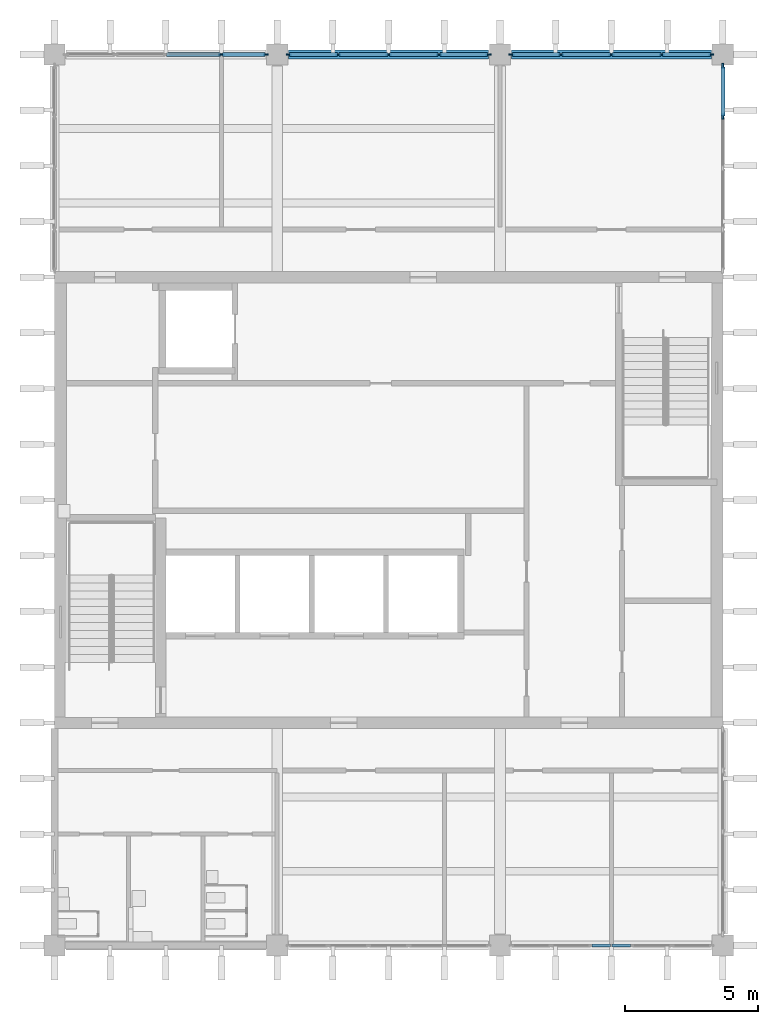
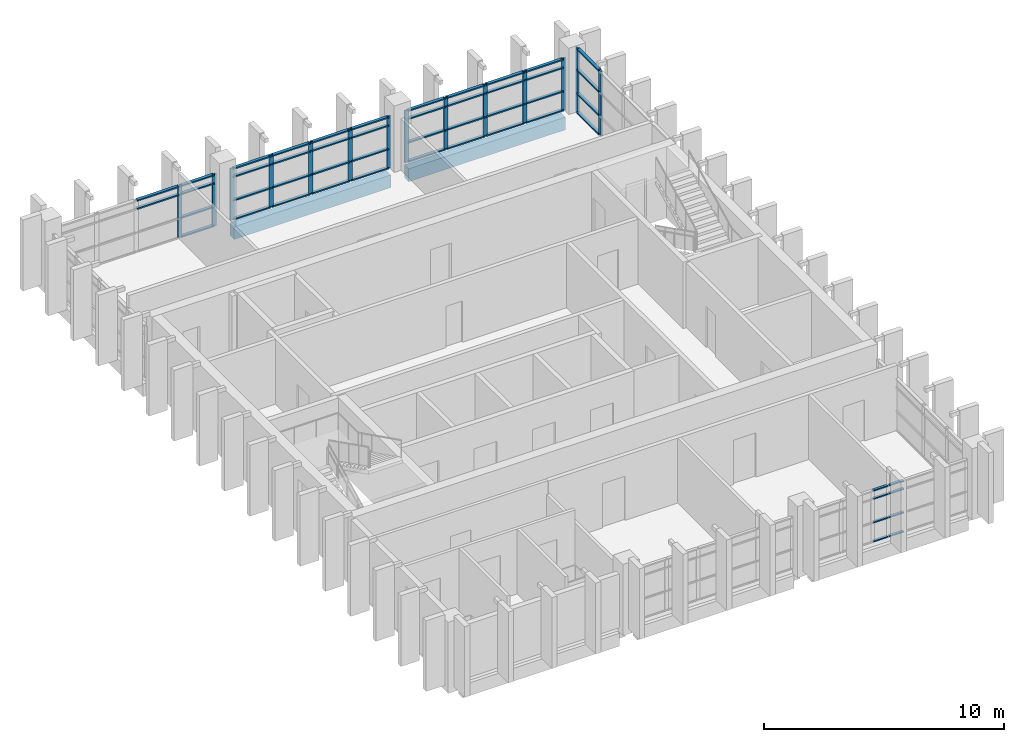
# One storey, part 4 of 11: 64 members, 2 beams, 5 elements without a shape of their own.
"""IFC4 building model written with IfcOpenShell, lengths in metres."""

from ifc_helpers import new_model, si_unit, direction, frame, origin, origin_2d, place, context, subcontext, project, spatial, rectangle, extrude, material, layer, layer_set, material_profile, profile_set, type_object, element, aggregate, save


model = new_model("IFC4")

# Units and contexts
model_context = context("Model", 3, precision=1e-05, world=origin(), true_north=direction((0.0, 1.0)))
body_context = subcontext(model_context, "Body", "Model", "MODEL_VIEW")
ifc_project = project(units=[si_unit("LENGTHUNIT", "METRE"), si_unit("AREAUNIT", "SQUARE_METRE"), si_unit("VOLUMEUNIT", "CUBIC_METRE"), si_unit("PLANEANGLEUNIT", "RADIAN"), si_unit("MASSUNIT", "GRAM", prefix="KILO")], contexts=[model_context])

# Site, building, storey
site_placement = place(None, origin())
site = spatial("IfcSite", under=ifc_project, at=site_placement, CompositionType="ELEMENT")
building_placement = place(site_placement, origin())
building = spatial("IfcBuilding", under=site, at=building_placement, Name="Rulbaag Community and Learning Centre", CompositionType="ELEMENT")
storey_placement = place(building_placement, frame((0.0, 0.0, 36.0)))
storey = spatial("IfcBuildingStorey", under=building, at=storey_placement, Name="L09", CompositionType="ELEMENT", Elevation=36.0)

# Beams
ifc_material_1 = material(Name="Concrete M40", Category="concrete")
ifc_material_profile_1 = material_profile(ifc_material_1, rectangle(XDim=0.35009765625, YDim=0.64990234375, at=origin_2d()), Name="RB350x650")
ifc_profile_set_1 = profile_set([ifc_material_profile_1], Name="Concrete M40")
beam_type = type_object("IfcBeamType", Name="B14 Tower edge beam, upper zone 350x650 Concrete M40", PredefinedType="BEAM", material=ifc_profile_set_1)
for number, where, z_axis, x_axis, name in (
    (1, (151.6298828125, 117.60009765625, -0.574951171875), (1.0, 0.0, 0.0), (0.0, 1.0, 0.0), "BM-L09-19O-20O"),
    (2, (160.030029296875, 117.60009765625, -0.574951171875), (1.0, 0.0, 0.0), (0.0, 1.0, 0.0), "BM-L09-20O-21O"),
):
    element("IfcBeam", number, at=place(storey_placement, frame(where, z_axis=z_axis, x_axis=x_axis)), inside=storey, type_object=beam_type, Name=name, PredefinedType="BEAM", context=body_context, shape_type="SweptSolid", body=[
        extrude(rectangle(XDim=0.35009765625, YDim=0.64990234375, at=origin_2d()), origin(), (0.0, 0.0, 1.0), 7.5400390625),
    ])

# Curtain wall, members
ifc_material_2 = material(Name="Aluminium", Category="aluminium")
ifc_layer_1 = layer(ifc_material_2, 0.14990234375)
ifc_layer_set_1 = layer_set([ifc_layer_1], Name="CW-S")
curtain_wall_type_1 = type_object("IfcCurtainWallType", Name="CW-S", PredefinedType="USERDEFINED", material=ifc_layer_set_1)
curtain_wall_1_placement = place(storey_placement, origin())
curtain_wall_1 = element("IfcCurtainWall", 3, at=curtain_wall_1_placement, inside=storey, type_object=curtain_wall_type_1, Name="GS-L09-02", ObjectType="UNITISED CURTAIN WALL", PredefinedType="USERDEFINED")
ifc_material_3 = material(Name="Aluminium transom", Category="aluminium")
ifc_material_profile_2 = material_profile(ifc_material_3, rectangle(XDim=0.125, YDim=0.06005859375, at=origin_2d()), Name="AL 60x125 T")
ifc_profile_set_2 = profile_set([ifc_material_profile_2], Name="Aluminium transom")
member_type_1 = type_object("IfcMemberType", Name="CW-S-TRN", PredefinedType="USERDEFINED", material=ifc_profile_set_2)
member_1_placement = place(storey_placement, frame((163.070068359375, 84.0, 0.030029296875), z_axis=(1.0, 0.0, 0.0), x_axis=(0.0, 1.0, 0.0)))
member_1 = element("IfcMember", 4, at=member_1_placement, type_object=member_type_1, Name="GS transom 3.1", ObjectType="TRANSOM", PredefinedType="USERDEFINED", context=body_context, shape_type="SweptSolid", body=[
    extrude(rectangle(XDim=0.125, YDim=0.06005859375, at=origin_2d()), origin(), (0.0, 0.0, 1.0), 0.699951171875),
])
member_2_placement = place(storey_placement, frame((163.070068359375, 84.0, 1.0), z_axis=(1.0, 0.0, 0.0), x_axis=(0.0, 1.0, 0.0)))
member_2 = element("IfcMember", 5, at=member_2_placement, type_object=member_type_1, Name="GS transom 3.2", ObjectType="TRANSOM", PredefinedType="USERDEFINED", context=body_context, shape_type="SweptSolid", body=[
    extrude(rectangle(XDim=0.125, YDim=0.06005859375, at=origin_2d()), origin(), (0.0, 0.0, 1.0), 0.699951171875),
])
member_3_placement = place(storey_placement, frame((163.070068359375, 84.0, 2.199951171875), z_axis=(1.0, 0.0, 0.0), x_axis=(0.0, 1.0, 0.0)))
member_3 = element("IfcMember", 6, at=member_3_placement, type_object=member_type_1, Name="GS transom 3.3", ObjectType="TRANSOM", PredefinedType="USERDEFINED", context=body_context, shape_type="SweptSolid", body=[
    extrude(rectangle(XDim=0.125, YDim=0.06005859375, at=origin_2d()), origin(), (0.0, 0.0, 1.0), 0.699951171875),
])
member_4_placement = place(storey_placement, frame((163.070068359375, 84.0, 2.6201171875), z_axis=(1.0, 0.0, 0.0), x_axis=(0.0, 1.0, 0.0)))
member_4 = element("IfcMember", 7, at=member_4_placement, type_object=member_type_1, Name="GS transom 3.4", ObjectType="TRANSOM", PredefinedType="USERDEFINED", context=body_context, shape_type="SweptSolid", body=[
    extrude(rectangle(XDim=0.125, YDim=0.06005859375, at=origin_2d()), origin(), (0.0, 0.0, 1.0), 0.699951171875),
])
member_5_placement = place(storey_placement, frame((163.830078125, 84.0, 0.030029296875), z_axis=(1.0, 0.0, 0.0), x_axis=(0.0, 1.0, 0.0)))
member_5 = element("IfcMember", 8, at=member_5_placement, type_object=member_type_1, Name="GS transom 4.1", ObjectType="TRANSOM", PredefinedType="USERDEFINED", context=body_context, shape_type="SweptSolid", body=[
    extrude(rectangle(XDim=0.125, YDim=0.06005859375, at=origin_2d()), origin(), (0.0, 0.0, 1.0), 0.699951171875),
])
member_6_placement = place(storey_placement, frame((163.830078125, 84.0, 1.0), z_axis=(1.0, 0.0, 0.0), x_axis=(0.0, 1.0, 0.0)))
member_6 = element("IfcMember", 9, at=member_6_placement, type_object=member_type_1, Name="GS transom 4.2", ObjectType="TRANSOM", PredefinedType="USERDEFINED", context=body_context, shape_type="SweptSolid", body=[
    extrude(rectangle(XDim=0.125, YDim=0.06005859375, at=origin_2d()), origin(), (0.0, 0.0, 1.0), 0.699951171875),
])
member_7_placement = place(storey_placement, frame((163.830078125, 84.0, 2.199951171875), z_axis=(1.0, 0.0, 0.0), x_axis=(0.0, 1.0, 0.0)))
member_7 = element("IfcMember", 10, at=member_7_placement, type_object=member_type_1, Name="GS transom 4.3", ObjectType="TRANSOM", PredefinedType="USERDEFINED", context=body_context, shape_type="SweptSolid", body=[
    extrude(rectangle(XDim=0.125, YDim=0.06005859375, at=origin_2d()), origin(), (0.0, 0.0, 1.0), 0.699951171875),
])
member_8_placement = place(storey_placement, frame((163.830078125, 84.0, 2.6201171875), z_axis=(1.0, 0.0, 0.0), x_axis=(0.0, 1.0, 0.0)))
member_8 = element("IfcMember", 11, at=member_8_placement, type_object=member_type_1, Name="GS transom 4.4", ObjectType="TRANSOM", PredefinedType="USERDEFINED", context=body_context, shape_type="SweptSolid", body=[
    extrude(rectangle(XDim=0.125, YDim=0.06005859375, at=origin_2d()), origin(), (0.0, 0.0, 1.0), 0.699951171875),
])
aggregate(curtain_wall_1, [member_1, member_2, member_3, member_4, member_5, member_6, member_7, member_8])

ifc_layer_2 = layer(ifc_material_2, 0.14990234375)
ifc_layer_set_2 = layer_set([ifc_layer_2], Name="CW-T")
curtain_wall_type_2 = type_object("IfcCurtainWallType", Name="CW-T", PredefinedType="USERDEFINED", material=ifc_layer_set_2)
curtain_wall_2_placement = place(storey_placement, origin())
curtain_wall_2 = element("IfcCurtainWall", 12, at=curtain_wall_2_placement, inside=storey, type_object=curtain_wall_type_2, Name="GT-L09-01", ObjectType="UNITISED CURTAIN WALL", PredefinedType="USERDEFINED")
ifc_material_4 = material(Name="Aluminium mullion", Category="aluminium")
ifc_material_profile_3 = material_profile(ifc_material_4, rectangle(XDim=0.06494140625, YDim=0.199951171875, at=origin_2d()), Name="AL 65x200")
ifc_profile_set_3 = profile_set([ifc_material_profile_3], Name="Aluminium mullion")
member_type_2 = type_object("IfcMemberType", Name="CW-T-MUL", PredefinedType="MULLION", material=ifc_profile_set_3)
member_9_placement = place(storey_placement, frame((149.10009765625, 117.60009765625, 0.0), z_axis=(0.0, 0.0, 1.0), x_axis=(0.0, 1.0, 0.0)))
member_9 = element("IfcMember", 13, at=member_9_placement, type_object=member_type_2, Name="GT mullion 4", PredefinedType="MULLION", context=body_context, shape_type="SweptSolid", body=[
    extrude(rectangle(XDim=0.06494140625, YDim=0.199951171875, at=origin_2d()), origin(), (0.0, 0.0, 1.0), 2.64990234375),
])
member_10_placement = place(storey_placement, frame((150.767578125, 117.60009765625, 0.0), z_axis=(0.0, 0.0, 1.0), x_axis=(0.0, 1.0, 0.0)))
member_10 = element("IfcMember", 14, at=member_10_placement, type_object=member_type_2, Name="GT mullion 5", PredefinedType="MULLION", context=body_context, shape_type="SweptSolid", body=[
    extrude(rectangle(XDim=0.06494140625, YDim=0.199951171875, at=origin_2d()), origin(), (0.0, 0.0, 1.0), 2.64990234375),
])

curtain_wall_3_placement = place(storey_placement, origin())
curtain_wall_3 = element("IfcCurtainWall", 15, at=curtain_wall_3_placement, inside=storey, type_object=curtain_wall_type_2, Name="GT-L09-02", ObjectType="UNITISED CURTAIN WALL", PredefinedType="USERDEFINED")
member_11_placement = place(storey_placement, frame((151.632568359375, 117.60009765625, 0.0), z_axis=(0.0, 0.0, 1.0), x_axis=(0.0, 1.0, 0.0)))
member_11 = element("IfcMember", 16, at=member_11_placement, type_object=member_type_2, Name="GT mullion 1", PredefinedType="MULLION", context=body_context, shape_type="SweptSolid", body=[
    extrude(rectangle(XDim=0.06494140625, YDim=0.199951171875, at=origin_2d()), origin(), (0.0, 0.0, 1.0), 2.64990234375),
])
member_12_placement = place(storey_placement, frame((153.5, 117.60009765625, 0.0), z_axis=(0.0, 0.0, 1.0), x_axis=(0.0, 1.0, 0.0)))
member_12 = element("IfcMember", 17, at=member_12_placement, type_object=member_type_2, Name="GT mullion 2", PredefinedType="MULLION", context=body_context, shape_type="SweptSolid", body=[
    extrude(rectangle(XDim=0.06494140625, YDim=0.199951171875, at=origin_2d()), origin(), (0.0, 0.0, 1.0), 2.64990234375),
])
member_13_placement = place(storey_placement, frame((155.39990234375, 117.60009765625, 0.0), z_axis=(0.0, 0.0, 1.0), x_axis=(0.0, 1.0, 0.0)))
member_13 = element("IfcMember", 18, at=member_13_placement, type_object=member_type_2, Name="GT mullion 3", PredefinedType="MULLION", context=body_context, shape_type="SweptSolid", body=[
    extrude(rectangle(XDim=0.06494140625, YDim=0.199951171875, at=origin_2d()), origin(), (0.0, 0.0, 1.0), 2.64990234375),
])
member_14_placement = place(storey_placement, frame((157.300048828125, 117.60009765625, 0.0), z_axis=(0.0, 0.0, 1.0), x_axis=(0.0, 1.0, 0.0)))
member_14 = element("IfcMember", 19, at=member_14_placement, type_object=member_type_2, Name="GT mullion 4", PredefinedType="MULLION", context=body_context, shape_type="SweptSolid", body=[
    extrude(rectangle(XDim=0.06494140625, YDim=0.199951171875, at=origin_2d()), origin(), (0.0, 0.0, 1.0), 2.64990234375),
])
member_15_placement = place(storey_placement, frame((159.16748046875, 117.60009765625, 0.0), z_axis=(0.0, 0.0, 1.0), x_axis=(0.0, 1.0, 0.0)))
member_15 = element("IfcMember", 20, at=member_15_placement, type_object=member_type_2, Name="GT mullion 5", PredefinedType="MULLION", context=body_context, shape_type="SweptSolid", body=[
    extrude(rectangle(XDim=0.06494140625, YDim=0.199951171875, at=origin_2d()), origin(), (0.0, 0.0, 1.0), 2.64990234375),
])

curtain_wall_4_placement = place(storey_placement, origin())
curtain_wall_4 = element("IfcCurtainWall", 21, at=curtain_wall_4_placement, inside=storey, type_object=curtain_wall_type_2, Name="GT-L09-03", ObjectType="UNITISED CURTAIN WALL", PredefinedType="USERDEFINED")
member_16_placement = place(storey_placement, frame((160.032470703125, 117.60009765625, 0.0), z_axis=(0.0, 0.0, 1.0), x_axis=(0.0, 1.0, 0.0)))
member_16 = element("IfcMember", 22, at=member_16_placement, type_object=member_type_2, Name="GT mullion 1", PredefinedType="MULLION", context=body_context, shape_type="SweptSolid", body=[
    extrude(rectangle(XDim=0.06494140625, YDim=0.199951171875, at=origin_2d()), origin(), (0.0, 0.0, 1.0), 2.64990234375),
])
member_17_placement = place(storey_placement, frame((161.89990234375, 117.60009765625, 0.0), z_axis=(0.0, 0.0, 1.0), x_axis=(0.0, 1.0, 0.0)))
member_17 = element("IfcMember", 23, at=member_17_placement, type_object=member_type_2, Name="GT mullion 2", PredefinedType="MULLION", context=body_context, shape_type="SweptSolid", body=[
    extrude(rectangle(XDim=0.06494140625, YDim=0.199951171875, at=origin_2d()), origin(), (0.0, 0.0, 1.0), 2.64990234375),
])
member_18_placement = place(storey_placement, frame((163.800048828125, 117.60009765625, 0.0), z_axis=(0.0, 0.0, 1.0), x_axis=(0.0, 1.0, 0.0)))
member_18 = element("IfcMember", 24, at=member_18_placement, type_object=member_type_2, Name="GT mullion 3", PredefinedType="MULLION", context=body_context, shape_type="SweptSolid", body=[
    extrude(rectangle(XDim=0.06494140625, YDim=0.199951171875, at=origin_2d()), origin(), (0.0, 0.0, 1.0), 2.64990234375),
])
member_19_placement = place(storey_placement, frame((165.699951171875, 117.60009765625, 0.0), z_axis=(0.0, 0.0, 1.0), x_axis=(0.0, 1.0, 0.0)))
member_19 = element("IfcMember", 25, at=member_19_placement, type_object=member_type_2, Name="GT mullion 4", PredefinedType="MULLION", context=body_context, shape_type="SweptSolid", body=[
    extrude(rectangle(XDim=0.06494140625, YDim=0.199951171875, at=origin_2d()), origin(), (0.0, 0.0, 1.0), 2.64990234375),
])
member_20_placement = place(storey_placement, frame((167.5673828125, 117.60009765625, 0.0), z_axis=(0.0, 0.0, 1.0), x_axis=(0.0, 1.0, 0.0)))
member_20 = element("IfcMember", 26, at=member_20_placement, type_object=member_type_2, Name="GT mullion 5", PredefinedType="MULLION", context=body_context, shape_type="SweptSolid", body=[
    extrude(rectangle(XDim=0.06494140625, YDim=0.199951171875, at=origin_2d()), origin(), (0.0, 0.0, 1.0), 2.64990234375),
])

curtain_wall_5_placement = place(storey_placement, origin())
curtain_wall_5 = element("IfcCurtainWall", 27, at=curtain_wall_5_placement, inside=storey, type_object=curtain_wall_type_2, Name="GT-L09-06", ObjectType="UNITISED CURTAIN WALL", PredefinedType="USERDEFINED")
member_21_placement = place(storey_placement, frame((168.0, 115.25634765625, 0.0), z_axis=(0.0, 0.0, 1.0), x_axis=(-1.0, 0.0, 0.0)))
member_21 = element("IfcMember", 28, at=member_21_placement, type_object=member_type_2, Name="GT mullion 4", PredefinedType="MULLION", context=body_context, shape_type="SweptSolid", body=[
    extrude(rectangle(XDim=0.06494140625, YDim=0.199951171875, at=origin_2d()), origin(), (0.0, 0.0, 1.0), 3.300048828125),
])
member_22_placement = place(storey_placement, frame((168.0, 117.16748046875, 0.0), z_axis=(0.0, 0.0, 1.0), x_axis=(-1.0, 0.0, 0.0)))
member_22 = element("IfcMember", 29, at=member_22_placement, type_object=member_type_2, Name="GT mullion 5", PredefinedType="MULLION", context=body_context, shape_type="SweptSolid", body=[
    extrude(rectangle(XDim=0.06494140625, YDim=0.199951171875, at=origin_2d()), origin(), (0.0, 0.0, 1.0), 3.300048828125),
])

# Member
ifc_material_profile_4 = material_profile(ifc_material_3, rectangle(XDim=0.14990234375, YDim=0.06494140625, at=origin_2d()), Name="AL 65x150 T")
ifc_profile_set_4 = profile_set([ifc_material_profile_4], Name="Aluminium transom")
member_type_3 = type_object("IfcMemberType", Name="CW-T-TRN", PredefinedType="USERDEFINED", material=ifc_profile_set_4)
member_23_placement = place(storey_placement, frame((147.032470703125, 117.60009765625, 2.199951171875), z_axis=(1.0, 0.0, 0.0), x_axis=(0.0, 1.0, 0.0)))
member_23 = element("IfcMember", 30, at=member_23_placement, type_object=member_type_3, Name="GT transom 3.3", ObjectType="TRANSOM", PredefinedType="USERDEFINED", context=body_context, shape_type="SweptSolid", body=[
    extrude(rectangle(XDim=0.14990234375, YDim=0.06494140625, at=origin_2d()), origin(), (0.0, 0.0, 1.0), 2.034912109375),
])

member_24_placement = place(storey_placement, frame((147.032470703125, 117.60009765625, 2.617431640625), z_axis=(1.0, 0.0, 0.0), x_axis=(0.0, 1.0, 0.0)))
member_24 = element("IfcMember", 31, at=member_24_placement, type_object=member_type_3, Name="GT transom 3.4", ObjectType="TRANSOM", PredefinedType="USERDEFINED", context=body_context, shape_type="SweptSolid", body=[
    extrude(rectangle(XDim=0.14990234375, YDim=0.06494140625, at=origin_2d()), origin(), (0.0, 0.0, 1.0), 2.034912109375),
])

member_25_placement = place(storey_placement, frame((149.132568359375, 117.60009765625, 0.032470703125), z_axis=(1.0, 0.0, 0.0), x_axis=(0.0, 1.0, 0.0)))
member_25 = element("IfcMember", 32, at=member_25_placement, type_object=member_type_3, Name="GT transom 4.1", ObjectType="TRANSOM", PredefinedType="USERDEFINED", context=body_context, shape_type="SweptSolid", body=[
    extrude(rectangle(XDim=0.14990234375, YDim=0.06494140625, at=origin_2d()), origin(), (0.0, 0.0, 1.0), 1.6025390625),
])

member_26_placement = place(storey_placement, frame((149.132568359375, 117.60009765625, 1.0), z_axis=(1.0, 0.0, 0.0), x_axis=(0.0, 1.0, 0.0)))
member_26 = element("IfcMember", 33, at=member_26_placement, type_object=member_type_3, Name="GT transom 4.2", ObjectType="TRANSOM", PredefinedType="USERDEFINED", context=body_context, shape_type="SweptSolid", body=[
    extrude(rectangle(XDim=0.14990234375, YDim=0.06494140625, at=origin_2d()), origin(), (0.0, 0.0, 1.0), 1.6025390625),
])

member_27_placement = place(storey_placement, frame((149.132568359375, 117.60009765625, 2.199951171875), z_axis=(1.0, 0.0, 0.0), x_axis=(0.0, 1.0, 0.0)))
member_27 = element("IfcMember", 34, at=member_27_placement, type_object=member_type_3, Name="GT transom 4.3", ObjectType="TRANSOM", PredefinedType="USERDEFINED", context=body_context, shape_type="SweptSolid", body=[
    extrude(rectangle(XDim=0.14990234375, YDim=0.06494140625, at=origin_2d()), origin(), (0.0, 0.0, 1.0), 1.6025390625),
])

member_28_placement = place(storey_placement, frame((149.132568359375, 117.60009765625, 2.617431640625), z_axis=(1.0, 0.0, 0.0), x_axis=(0.0, 1.0, 0.0)))
member_28 = element("IfcMember", 35, at=member_28_placement, type_object=member_type_3, Name="GT transom 4.4", ObjectType="TRANSOM", PredefinedType="USERDEFINED", context=body_context, shape_type="SweptSolid", body=[
    extrude(rectangle(XDim=0.14990234375, YDim=0.06494140625, at=origin_2d()), origin(), (0.0, 0.0, 1.0), 1.6025390625),
])

aggregate(curtain_wall_2, [member_9, member_10, member_23, member_24, member_25, member_26, member_27, member_28])

member_29_placement = place(storey_placement, frame((151.6650390625, 117.60009765625, 0.032470703125), z_axis=(1.0, 0.0, 0.0), x_axis=(0.0, 1.0, 0.0)))
member_29 = element("IfcMember", 36, at=member_29_placement, type_object=member_type_3, Name="GT transom 1.1", ObjectType="TRANSOM", PredefinedType="USERDEFINED", context=body_context, shape_type="SweptSolid", body=[
    extrude(rectangle(XDim=0.14990234375, YDim=0.06494140625, at=origin_2d()), origin(), (0.0, 0.0, 1.0), 1.802490234375),
])

member_30_placement = place(storey_placement, frame((151.6650390625, 117.60009765625, 1.0), z_axis=(1.0, 0.0, 0.0), x_axis=(0.0, 1.0, 0.0)))
member_30 = element("IfcMember", 37, at=member_30_placement, type_object=member_type_3, Name="GT transom 1.2", ObjectType="TRANSOM", PredefinedType="USERDEFINED", context=body_context, shape_type="SweptSolid", body=[
    extrude(rectangle(XDim=0.14990234375, YDim=0.06494140625, at=origin_2d()), origin(), (0.0, 0.0, 1.0), 1.802490234375),
])

member_31_placement = place(storey_placement, frame((151.6650390625, 117.60009765625, 2.199951171875), z_axis=(1.0, 0.0, 0.0), x_axis=(0.0, 1.0, 0.0)))
member_31 = element("IfcMember", 38, at=member_31_placement, type_object=member_type_3, Name="GT transom 1.3", ObjectType="TRANSOM", PredefinedType="USERDEFINED", context=body_context, shape_type="SweptSolid", body=[
    extrude(rectangle(XDim=0.14990234375, YDim=0.06494140625, at=origin_2d()), origin(), (0.0, 0.0, 1.0), 1.802490234375),
])

member_32_placement = place(storey_placement, frame((151.6650390625, 117.60009765625, 2.617431640625), z_axis=(1.0, 0.0, 0.0), x_axis=(0.0, 1.0, 0.0)))
member_32 = element("IfcMember", 39, at=member_32_placement, type_object=member_type_3, Name="GT transom 1.4", ObjectType="TRANSOM", PredefinedType="USERDEFINED", context=body_context, shape_type="SweptSolid", body=[
    extrude(rectangle(XDim=0.14990234375, YDim=0.06494140625, at=origin_2d()), origin(), (0.0, 0.0, 1.0), 1.802490234375),
])

member_33_placement = place(storey_placement, frame((153.532470703125, 117.60009765625, 0.032470703125), z_axis=(1.0, 0.0, 0.0), x_axis=(0.0, 1.0, 0.0)))
member_33 = element("IfcMember", 40, at=member_33_placement, type_object=member_type_3, Name="GT transom 2.1", ObjectType="TRANSOM", PredefinedType="USERDEFINED", context=body_context, shape_type="SweptSolid", body=[
    extrude(rectangle(XDim=0.14990234375, YDim=0.06494140625, at=origin_2d()), origin(), (0.0, 0.0, 1.0), 1.8349609375),
])

member_34_placement = place(storey_placement, frame((153.532470703125, 117.60009765625, 1.0), z_axis=(1.0, 0.0, 0.0), x_axis=(0.0, 1.0, 0.0)))
member_34 = element("IfcMember", 41, at=member_34_placement, type_object=member_type_3, Name="GT transom 2.2", ObjectType="TRANSOM", PredefinedType="USERDEFINED", context=body_context, shape_type="SweptSolid", body=[
    extrude(rectangle(XDim=0.14990234375, YDim=0.06494140625, at=origin_2d()), origin(), (0.0, 0.0, 1.0), 1.8349609375),
])

member_35_placement = place(storey_placement, frame((153.532470703125, 117.60009765625, 2.199951171875), z_axis=(1.0, 0.0, 0.0), x_axis=(0.0, 1.0, 0.0)))
member_35 = element("IfcMember", 42, at=member_35_placement, type_object=member_type_3, Name="GT transom 2.3", ObjectType="TRANSOM", PredefinedType="USERDEFINED", context=body_context, shape_type="SweptSolid", body=[
    extrude(rectangle(XDim=0.14990234375, YDim=0.06494140625, at=origin_2d()), origin(), (0.0, 0.0, 1.0), 1.8349609375),
])

member_36_placement = place(storey_placement, frame((153.532470703125, 117.60009765625, 2.617431640625), z_axis=(1.0, 0.0, 0.0), x_axis=(0.0, 1.0, 0.0)))
member_36 = element("IfcMember", 43, at=member_36_placement, type_object=member_type_3, Name="GT transom 2.4", ObjectType="TRANSOM", PredefinedType="USERDEFINED", context=body_context, shape_type="SweptSolid", body=[
    extrude(rectangle(XDim=0.14990234375, YDim=0.06494140625, at=origin_2d()), origin(), (0.0, 0.0, 1.0), 1.8349609375),
])

member_37_placement = place(storey_placement, frame((155.4326171875, 117.60009765625, 0.032470703125), z_axis=(1.0, 0.0, 0.0), x_axis=(0.0, 1.0, 0.0)))
member_37 = element("IfcMember", 44, at=member_37_placement, type_object=member_type_3, Name="GT transom 3.1", ObjectType="TRANSOM", PredefinedType="USERDEFINED", context=body_context, shape_type="SweptSolid", body=[
    extrude(rectangle(XDim=0.14990234375, YDim=0.06494140625, at=origin_2d()), origin(), (0.0, 0.0, 1.0), 1.8349609375),
])

member_38_placement = place(storey_placement, frame((155.4326171875, 117.60009765625, 1.0), z_axis=(1.0, 0.0, 0.0), x_axis=(0.0, 1.0, 0.0)))
member_38 = element("IfcMember", 45, at=member_38_placement, type_object=member_type_3, Name="GT transom 3.2", ObjectType="TRANSOM", PredefinedType="USERDEFINED", context=body_context, shape_type="SweptSolid", body=[
    extrude(rectangle(XDim=0.14990234375, YDim=0.06494140625, at=origin_2d()), origin(), (0.0, 0.0, 1.0), 1.8349609375),
])

member_39_placement = place(storey_placement, frame((155.4326171875, 117.60009765625, 2.199951171875), z_axis=(1.0, 0.0, 0.0), x_axis=(0.0, 1.0, 0.0)))
member_39 = element("IfcMember", 46, at=member_39_placement, type_object=member_type_3, Name="GT transom 3.3", ObjectType="TRANSOM", PredefinedType="USERDEFINED", context=body_context, shape_type="SweptSolid", body=[
    extrude(rectangle(XDim=0.14990234375, YDim=0.06494140625, at=origin_2d()), origin(), (0.0, 0.0, 1.0), 1.8349609375),
])

member_40_placement = place(storey_placement, frame((155.4326171875, 117.60009765625, 2.617431640625), z_axis=(1.0, 0.0, 0.0), x_axis=(0.0, 1.0, 0.0)))
member_40 = element("IfcMember", 47, at=member_40_placement, type_object=member_type_3, Name="GT transom 3.4", ObjectType="TRANSOM", PredefinedType="USERDEFINED", context=body_context, shape_type="SweptSolid", body=[
    extrude(rectangle(XDim=0.14990234375, YDim=0.06494140625, at=origin_2d()), origin(), (0.0, 0.0, 1.0), 1.8349609375),
])

member_41_placement = place(storey_placement, frame((157.33251953125, 117.60009765625, 0.032470703125), z_axis=(1.0, 0.0, 0.0), x_axis=(0.0, 1.0, 0.0)))
member_41 = element("IfcMember", 48, at=member_41_placement, type_object=member_type_3, Name="GT transom 4.1", ObjectType="TRANSOM", PredefinedType="USERDEFINED", context=body_context, shape_type="SweptSolid", body=[
    extrude(rectangle(XDim=0.14990234375, YDim=0.06494140625, at=origin_2d()), origin(), (0.0, 0.0, 1.0), 1.802490234375),
])

member_42_placement = place(storey_placement, frame((157.33251953125, 117.60009765625, 1.0), z_axis=(1.0, 0.0, 0.0), x_axis=(0.0, 1.0, 0.0)))
member_42 = element("IfcMember", 49, at=member_42_placement, type_object=member_type_3, Name="GT transom 4.2", ObjectType="TRANSOM", PredefinedType="USERDEFINED", context=body_context, shape_type="SweptSolid", body=[
    extrude(rectangle(XDim=0.14990234375, YDim=0.06494140625, at=origin_2d()), origin(), (0.0, 0.0, 1.0), 1.802490234375),
])

member_43_placement = place(storey_placement, frame((157.33251953125, 117.60009765625, 2.199951171875), z_axis=(1.0, 0.0, 0.0), x_axis=(0.0, 1.0, 0.0)))
member_43 = element("IfcMember", 50, at=member_43_placement, type_object=member_type_3, Name="GT transom 4.3", ObjectType="TRANSOM", PredefinedType="USERDEFINED", context=body_context, shape_type="SweptSolid", body=[
    extrude(rectangle(XDim=0.14990234375, YDim=0.06494140625, at=origin_2d()), origin(), (0.0, 0.0, 1.0), 1.802490234375),
])

member_44_placement = place(storey_placement, frame((157.33251953125, 117.60009765625, 2.617431640625), z_axis=(1.0, 0.0, 0.0), x_axis=(0.0, 1.0, 0.0)))
member_44 = element("IfcMember", 51, at=member_44_placement, type_object=member_type_3, Name="GT transom 4.4", ObjectType="TRANSOM", PredefinedType="USERDEFINED", context=body_context, shape_type="SweptSolid", body=[
    extrude(rectangle(XDim=0.14990234375, YDim=0.06494140625, at=origin_2d()), origin(), (0.0, 0.0, 1.0), 1.802490234375),
])

aggregate(curtain_wall_3, [member_11, member_12, member_13, member_14, member_15, member_29, member_30, member_31, member_32, member_33, member_34, member_35, member_36, member_37, member_38, member_39, member_40, member_41, member_42, member_43, member_44])

member_45_placement = place(storey_placement, frame((160.06494140625, 117.60009765625, 0.032470703125), z_axis=(1.0, 0.0, 0.0), x_axis=(0.0, 1.0, 0.0)))
member_45 = element("IfcMember", 52, at=member_45_placement, type_object=member_type_3, Name="GT transom 1.1", ObjectType="TRANSOM", PredefinedType="USERDEFINED", context=body_context, shape_type="SweptSolid", body=[
    extrude(rectangle(XDim=0.14990234375, YDim=0.06494140625, at=origin_2d()), origin(), (0.0, 0.0, 1.0), 1.802490234375),
])

member_46_placement = place(storey_placement, frame((160.06494140625, 117.60009765625, 1.0), z_axis=(1.0, 0.0, 0.0), x_axis=(0.0, 1.0, 0.0)))
member_46 = element("IfcMember", 53, at=member_46_placement, type_object=member_type_3, Name="GT transom 1.2", ObjectType="TRANSOM", PredefinedType="USERDEFINED", context=body_context, shape_type="SweptSolid", body=[
    extrude(rectangle(XDim=0.14990234375, YDim=0.06494140625, at=origin_2d()), origin(), (0.0, 0.0, 1.0), 1.802490234375),
])

member_47_placement = place(storey_placement, frame((160.06494140625, 117.60009765625, 2.199951171875), z_axis=(1.0, 0.0, 0.0), x_axis=(0.0, 1.0, 0.0)))
member_47 = element("IfcMember", 54, at=member_47_placement, type_object=member_type_3, Name="GT transom 1.3", ObjectType="TRANSOM", PredefinedType="USERDEFINED", context=body_context, shape_type="SweptSolid", body=[
    extrude(rectangle(XDim=0.14990234375, YDim=0.06494140625, at=origin_2d()), origin(), (0.0, 0.0, 1.0), 1.802490234375),
])

member_48_placement = place(storey_placement, frame((160.06494140625, 117.60009765625, 2.617431640625), z_axis=(1.0, 0.0, 0.0), x_axis=(0.0, 1.0, 0.0)))
member_48 = element("IfcMember", 55, at=member_48_placement, type_object=member_type_3, Name="GT transom 1.4", ObjectType="TRANSOM", PredefinedType="USERDEFINED", context=body_context, shape_type="SweptSolid", body=[
    extrude(rectangle(XDim=0.14990234375, YDim=0.06494140625, at=origin_2d()), origin(), (0.0, 0.0, 1.0), 1.802490234375),
])

member_49_placement = place(storey_placement, frame((161.9326171875, 117.60009765625, 0.032470703125), z_axis=(1.0, 0.0, 0.0), x_axis=(0.0, 1.0, 0.0)))
member_49 = element("IfcMember", 56, at=member_49_placement, type_object=member_type_3, Name="GT transom 2.1", ObjectType="TRANSOM", PredefinedType="USERDEFINED", context=body_context, shape_type="SweptSolid", body=[
    extrude(rectangle(XDim=0.14990234375, YDim=0.06494140625, at=origin_2d()), origin(), (0.0, 0.0, 1.0), 1.8349609375),
])

member_50_placement = place(storey_placement, frame((161.9326171875, 117.60009765625, 1.0), z_axis=(1.0, 0.0, 0.0), x_axis=(0.0, 1.0, 0.0)))
member_50 = element("IfcMember", 57, at=member_50_placement, type_object=member_type_3, Name="GT transom 2.2", ObjectType="TRANSOM", PredefinedType="USERDEFINED", context=body_context, shape_type="SweptSolid", body=[
    extrude(rectangle(XDim=0.14990234375, YDim=0.06494140625, at=origin_2d()), origin(), (0.0, 0.0, 1.0), 1.8349609375),
])

member_51_placement = place(storey_placement, frame((161.9326171875, 117.60009765625, 2.199951171875), z_axis=(1.0, 0.0, 0.0), x_axis=(0.0, 1.0, 0.0)))
member_51 = element("IfcMember", 58, at=member_51_placement, type_object=member_type_3, Name="GT transom 2.3", ObjectType="TRANSOM", PredefinedType="USERDEFINED", context=body_context, shape_type="SweptSolid", body=[
    extrude(rectangle(XDim=0.14990234375, YDim=0.06494140625, at=origin_2d()), origin(), (0.0, 0.0, 1.0), 1.8349609375),
])

member_52_placement = place(storey_placement, frame((161.9326171875, 117.60009765625, 2.617431640625), z_axis=(1.0, 0.0, 0.0), x_axis=(0.0, 1.0, 0.0)))
member_52 = element("IfcMember", 59, at=member_52_placement, type_object=member_type_3, Name="GT transom 2.4", ObjectType="TRANSOM", PredefinedType="USERDEFINED", context=body_context, shape_type="SweptSolid", body=[
    extrude(rectangle(XDim=0.14990234375, YDim=0.06494140625, at=origin_2d()), origin(), (0.0, 0.0, 1.0), 1.8349609375),
])

member_53_placement = place(storey_placement, frame((163.83251953125, 117.60009765625, 0.032470703125), z_axis=(1.0, 0.0, 0.0), x_axis=(0.0, 1.0, 0.0)))
member_53 = element("IfcMember", 60, at=member_53_placement, type_object=member_type_3, Name="GT transom 3.1", ObjectType="TRANSOM", PredefinedType="USERDEFINED", context=body_context, shape_type="SweptSolid", body=[
    extrude(rectangle(XDim=0.14990234375, YDim=0.06494140625, at=origin_2d()), origin(), (0.0, 0.0, 1.0), 1.8349609375),
])

member_54_placement = place(storey_placement, frame((163.83251953125, 117.60009765625, 1.0), z_axis=(1.0, 0.0, 0.0), x_axis=(0.0, 1.0, 0.0)))
member_54 = element("IfcMember", 61, at=member_54_placement, type_object=member_type_3, Name="GT transom 3.2", ObjectType="TRANSOM", PredefinedType="USERDEFINED", context=body_context, shape_type="SweptSolid", body=[
    extrude(rectangle(XDim=0.14990234375, YDim=0.06494140625, at=origin_2d()), origin(), (0.0, 0.0, 1.0), 1.8349609375),
])

member_55_placement = place(storey_placement, frame((163.83251953125, 117.60009765625, 2.199951171875), z_axis=(1.0, 0.0, 0.0), x_axis=(0.0, 1.0, 0.0)))
member_55 = element("IfcMember", 62, at=member_55_placement, type_object=member_type_3, Name="GT transom 3.3", ObjectType="TRANSOM", PredefinedType="USERDEFINED", context=body_context, shape_type="SweptSolid", body=[
    extrude(rectangle(XDim=0.14990234375, YDim=0.06494140625, at=origin_2d()), origin(), (0.0, 0.0, 1.0), 1.8349609375),
])

member_56_placement = place(storey_placement, frame((163.83251953125, 117.60009765625, 2.617431640625), z_axis=(1.0, 0.0, 0.0), x_axis=(0.0, 1.0, 0.0)))
member_56 = element("IfcMember", 63, at=member_56_placement, type_object=member_type_3, Name="GT transom 3.4", ObjectType="TRANSOM", PredefinedType="USERDEFINED", context=body_context, shape_type="SweptSolid", body=[
    extrude(rectangle(XDim=0.14990234375, YDim=0.06494140625, at=origin_2d()), origin(), (0.0, 0.0, 1.0), 1.8349609375),
])

member_57_placement = place(storey_placement, frame((165.732421875, 117.60009765625, 0.032470703125), z_axis=(1.0, 0.0, 0.0), x_axis=(0.0, 1.0, 0.0)))
member_57 = element("IfcMember", 64, at=member_57_placement, type_object=member_type_3, Name="GT transom 4.1", ObjectType="TRANSOM", PredefinedType="USERDEFINED", context=body_context, shape_type="SweptSolid", body=[
    extrude(rectangle(XDim=0.14990234375, YDim=0.06494140625, at=origin_2d()), origin(), (0.0, 0.0, 1.0), 1.802490234375),
])

member_58_placement = place(storey_placement, frame((165.732421875, 117.60009765625, 1.0), z_axis=(1.0, 0.0, 0.0), x_axis=(0.0, 1.0, 0.0)))
member_58 = element("IfcMember", 65, at=member_58_placement, type_object=member_type_3, Name="GT transom 4.2", ObjectType="TRANSOM", PredefinedType="USERDEFINED", context=body_context, shape_type="SweptSolid", body=[
    extrude(rectangle(XDim=0.14990234375, YDim=0.06494140625, at=origin_2d()), origin(), (0.0, 0.0, 1.0), 1.802490234375),
])

member_59_placement = place(storey_placement, frame((165.732421875, 117.60009765625, 2.199951171875), z_axis=(1.0, 0.0, 0.0), x_axis=(0.0, 1.0, 0.0)))
member_59 = element("IfcMember", 66, at=member_59_placement, type_object=member_type_3, Name="GT transom 4.3", ObjectType="TRANSOM", PredefinedType="USERDEFINED", context=body_context, shape_type="SweptSolid", body=[
    extrude(rectangle(XDim=0.14990234375, YDim=0.06494140625, at=origin_2d()), origin(), (0.0, 0.0, 1.0), 1.802490234375),
])

member_60_placement = place(storey_placement, frame((165.732421875, 117.60009765625, 2.617431640625), z_axis=(1.0, 0.0, 0.0), x_axis=(0.0, 1.0, 0.0)))
member_60 = element("IfcMember", 67, at=member_60_placement, type_object=member_type_3, Name="GT transom 4.4", ObjectType="TRANSOM", PredefinedType="USERDEFINED", context=body_context, shape_type="SweptSolid", body=[
    extrude(rectangle(XDim=0.14990234375, YDim=0.06494140625, at=origin_2d()), origin(), (0.0, 0.0, 1.0), 1.802490234375),
])

aggregate(curtain_wall_4, [member_16, member_17, member_18, member_19, member_20, member_45, member_46, member_47, member_48, member_49, member_50, member_51, member_52, member_53, member_54, member_55, member_56, member_57, member_58, member_59, member_60])

member_61_placement = place(storey_placement, frame((168.0, 115.288818359375, 0.032470703125), z_axis=(0.0, 1.0, 0.0), x_axis=(-1.0, 0.0, 0.0)))
member_61 = element("IfcMember", 68, at=member_61_placement, type_object=member_type_3, Name="GT transom 4.1", ObjectType="TRANSOM", PredefinedType="USERDEFINED", context=body_context, shape_type="SweptSolid", body=[
    extrude(rectangle(XDim=0.14990234375, YDim=0.06494140625, at=origin_2d()), origin(), (0.0, 0.0, 1.0), 1.84619140625),
])

member_62_placement = place(storey_placement, frame((168.0, 115.288818359375, 1.0), z_axis=(0.0, 1.0, 0.0), x_axis=(-1.0, 0.0, 0.0)))
member_62 = element("IfcMember", 69, at=member_62_placement, type_object=member_type_3, Name="GT transom 4.2", ObjectType="TRANSOM", PredefinedType="USERDEFINED", context=body_context, shape_type="SweptSolid", body=[
    extrude(rectangle(XDim=0.14990234375, YDim=0.06494140625, at=origin_2d()), origin(), (0.0, 0.0, 1.0), 1.84619140625),
])

member_63_placement = place(storey_placement, frame((168.0, 115.288818359375, 2.199951171875), z_axis=(0.0, 1.0, 0.0), x_axis=(-1.0, 0.0, 0.0)))
member_63 = element("IfcMember", 70, at=member_63_placement, type_object=member_type_3, Name="GT transom 4.3", ObjectType="TRANSOM", PredefinedType="USERDEFINED", context=body_context, shape_type="SweptSolid", body=[
    extrude(rectangle(XDim=0.14990234375, YDim=0.06494140625, at=origin_2d()), origin(), (0.0, 0.0, 1.0), 1.84619140625),
])

member_64_placement = place(storey_placement, frame((168.0, 115.288818359375, 3.267578125), z_axis=(0.0, 1.0, 0.0), x_axis=(-1.0, 0.0, 0.0)))
member_64 = element("IfcMember", 71, at=member_64_placement, type_object=member_type_3, Name="GT transom 4.4", ObjectType="TRANSOM", PredefinedType="USERDEFINED", context=body_context, shape_type="SweptSolid", body=[
    extrude(rectangle(XDim=0.14990234375, YDim=0.06494140625, at=origin_2d()), origin(), (0.0, 0.0, 1.0), 1.84619140625),
])

aggregate(curtain_wall_5, [member_21, member_22, member_61, member_62, member_63, member_64])

save(model, "model.ifc")
